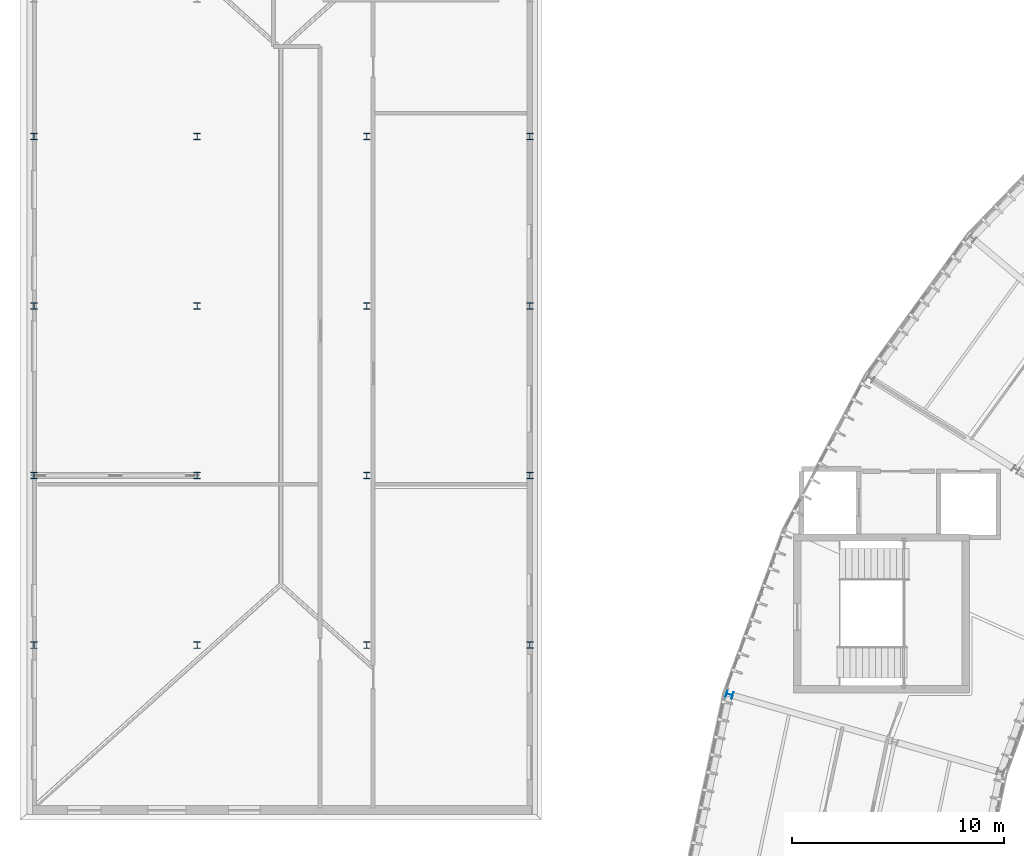
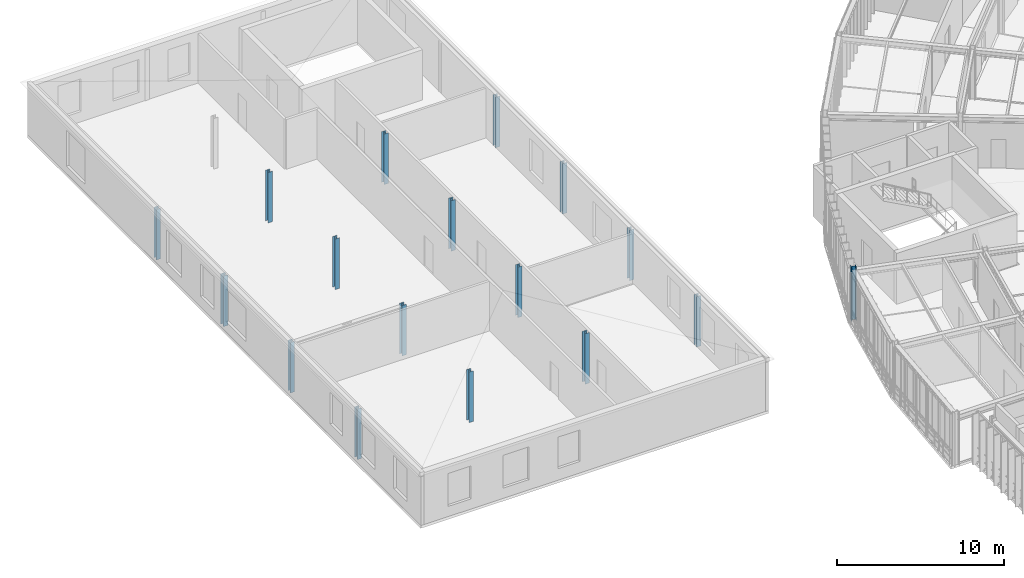
# One storey, part 2 of 42: 17 columns.
"""IFC4 building model written with IfcOpenShell, lengths in metres."""

import ifcopenshell
import ifcopenshell.guid

model = None  # the IFC model being written
_history = None  # IfcOwnerHistory: only IFC2X3 demands one
_inside = {}  # id of a spatial element -> (the spatial element, [elements in it])
_under = {}  # id of a project, library or spatial element -> (it, [spatial elements below it])
_declared = {}  # id of a project -> (the project, [libraries it declares])
_typed = {}  # id of a type object -> (the type object, [elements of that type])
_made_of = {}  # id of a material, layer set ... -> (it, [elements and type objects made of it])


def new_model(schema):
    """Start an empty IFC model of exactly this schema.

    Asked for "IFC4X3", IfcOpenShell would pick the latest addendum, in which some entities
    have other attributes; the version numbers below select the first issue.
    IFC2X3 requires an IfcOwnerHistory on every rooted entity: one is made here for all.
    """
    global model, _history
    if schema == "IFC4X3":
        model = ifcopenshell.file(schema_version=(4, 3, 0, 0))
    else:
        model = ifcopenshell.file(schema=schema)
    _inside.clear()
    _under.clear()
    _declared.clear()
    _typed.clear()
    _made_of.clear()
    _history = None
    if model.schema == "IFC2X3":
        org = make("IfcOrganization", Name="unknown")
        user = make(
            "IfcPersonAndOrganization",
            ThePerson=make("IfcPerson", FamilyName="unknown"),
            TheOrganization=org,
        )
        app = make(
            "IfcApplication",
            ApplicationDeveloper=org,
            Version="unknown",
            ApplicationFullName="unknown",
            ApplicationIdentifier="unknown",
        )
        _history = make(
            "IfcOwnerHistory",
            OwningUser=user,
            OwningApplication=app,
            ChangeAction="ADDED",
            CreationDate=0,
        )
    return model


def make(cls, **values):
    """One entity of the class cls with the attributes given. An attribute that is None is left unset."""
    return model.create_entity(
        cls, **{name: value for name, value in values.items() if value is not None}
    )


def rooted(cls, **values):
    """An entity with a GlobalId (a new one), such as an element, a storey or a relation."""
    return make(cls, GlobalId=ifcopenshell.guid.new(), OwnerHistory=_history, **values)


def si_unit(unit_type, name, prefix=None):
    """IfcSIUnit, for example si_unit("LENGTHUNIT", "METRE", prefix="MILLI")."""
    return make("IfcSIUnit", UnitType=unit_type, Prefix=prefix, Name=name)


def assignment(units):
    """IfcUnitAssignment: the units of a project."""
    return None if units is None else make("IfcUnitAssignment", Units=units)


def point(xyz):
    """IfcCartesianPoint."""
    return None if xyz is None else make("IfcCartesianPoint", Coordinates=xyz)


def direction(xyz):
    """IfcDirection."""
    return None if xyz is None else make("IfcDirection", DirectionRatios=xyz)


def frame(location, z_axis=None, x_axis=None):
    """IfcAxis2Placement3D, a coordinate frame: its origin and axes. An axis left out is left unset."""
    return make(
        "IfcAxis2Placement3D",
        Location=point(location),
        Axis=direction(z_axis),
        RefDirection=direction(x_axis),
    )


def frame_2d(location, x_axis=None):
    """IfcAxis2Placement2D, a coordinate frame in the plane: its origin and x axis."""
    return make(
        "IfcAxis2Placement2D", Location=point(location), RefDirection=direction(x_axis)
    )


def origin():
    """The frame at (0, 0, 0) with its axes left unset."""
    return frame((0.0, 0.0, 0.0))


def origin_2d():
    """The frame at (0, 0) in the plane with its x axis left unset."""
    return frame_2d((0.0, 0.0))


def place(relative_to, where):
    """IfcLocalPlacement: puts the frame where relative to a parent placement (None: the world)."""
    return make(
        "IfcLocalPlacement", PlacementRelTo=relative_to, RelativePlacement=where
    )


def context(
    kind, dimensions, precision=None, world=None, true_north=None, identifier=None
):
    """IfcGeometricRepresentationContext, for example the 3D "Model" context."""
    return make(
        "IfcGeometricRepresentationContext",
        ContextIdentifier=identifier,
        ContextType=kind,
        CoordinateSpaceDimension=dimensions,
        Precision=precision,
        WorldCoordinateSystem=world,
        TrueNorth=true_north,
    )


def subcontext(parent, identifier, kind, view, scale=None):
    """IfcGeometricRepresentationSubContext, for example "Body" below "Model"."""
    return make(
        "IfcGeometricRepresentationSubContext",
        ContextIdentifier=identifier,
        ContextType=kind,
        ParentContext=parent,
        TargetScale=scale,
        TargetView=view,
    )


def project(units=None, contexts=None):
    """IfcProject with its units and contexts."""
    return rooted(
        "IfcProject",
        Name="project",
        RepresentationContexts=contexts,
        UnitsInContext=assignment(units),
    )


def spatial(cls, under=None, at=None, **own):
    """A site, building, storey or space (cls), placed at a placement, below another one or the project."""
    s = rooted(cls, ObjectPlacement=at, **own)
    if under is not None:
        _under.setdefault(under.id(), (under, []))[1].append(s)
    return s


def profile(cls, at=None, kind="AREA", **sizes):
    """A parametric profile (cls). Its sizes go by their IFC names, for example OverallWidth=200.0."""
    return make(cls, ProfileType=kind, Position=at, **sizes)


def i_section(**sizes):
    """IfcIShapeProfileDef."""
    return profile("IfcIShapeProfileDef", **sizes)


def extrude(swept, where, along, depth):
    """IfcExtrudedAreaSolid: the profile swept, set in the frame where, extruded along a direction by depth."""
    return make(
        "IfcExtrudedAreaSolid",
        SweptArea=swept,
        Position=where,
        ExtrudedDirection=direction(along),
        Depth=depth,
    )


def shape(context_of_items, identifier, shape_type, items):
    """IfcShapeRepresentation: the items that make up one representation, for example the "Body"."""
    return make(
        "IfcShapeRepresentation",
        ContextOfItems=context_of_items,
        RepresentationIdentifier=identifier,
        RepresentationType=shape_type,
        Items=items,
    )


def material(Name=None, Category=None):
    """IfcMaterial."""
    return make("IfcMaterial", Name=Name, Category=Category)


def material_profile(
    of_material, cross_section, Name=None, Category=None, Priority=None
):
    """IfcMaterialProfile: a cross section and its material."""
    return make(
        "IfcMaterialProfile",
        Name=Name,
        Material=of_material,
        Profile=cross_section,
        Priority=Priority,
        Category=Category,
    )


def profile_set(profiles, Name=None, composite=None):
    """IfcMaterialProfileSet."""
    return make(
        "IfcMaterialProfileSet",
        Name=Name,
        MaterialProfiles=profiles,
        CompositeProfile=composite,
    )


def made_of(thing, what):
    """Note that an element or type object is made of a material, layer set ...; save() writes the relation."""
    if what is not None:
        _made_of.setdefault(what.id(), (what, []))[1].append(thing)
    return thing


def type_object(cls, material=None, **own):
    """A type object (cls), such as IfcWallType, which elements share."""
    return made_of(rooted(cls, **own), material)


def element(
    cls,
    number,
    at=None,
    inside=None,
    cuts=None,
    type_object=None,
    material=None,
    context=None,
    identifier="Body",
    shape_type=None,
    held_by="IfcProductDefinitionShape",
    body=None,
    shapes=None,
    **own,
):
    """One element of the class cls, such as IfcWall. Its Tag is "e" and its number.

    at: its placement. inside: the storey or other place that contains it. cuts: it is an
    opening in that element (IfcRelVoidsElement). A single representation is given by context,
    identifier, shape_type and body (its items); several are given by shapes. held_by: the class
    of the entity that holds the representations. save() writes the other relations.
    """
    e = rooted(cls, Tag="e%d" % number, ObjectPlacement=at, **own)
    if body is not None:
        shapes = [shape(context, identifier, shape_type, body)]
    if shapes is not None:
        e.Representation = make(held_by, Representations=shapes)
    if inside is not None:
        _inside.setdefault(inside.id(), (inside, []))[1].append(e)
    if cuts is not None:
        rooted(
            "IfcRelVoidsElement", RelatingBuildingElement=cuts, RelatedOpeningElement=e
        )
    if type_object is not None:
        _typed.setdefault(type_object.id(), (type_object, []))[1].append(e)
    return made_of(e, material)


def aggregate(whole, parts):
    """IfcRelAggregates: a whole, such as a stair, and the parts it consists of."""
    return rooted("IfcRelAggregates", RelatingObject=whole, RelatedObjects=parts)


def save(model, path):
    """Write the relations noted so far, then the file.

    IfcRelAggregates (storeys below a building ...), IfcRelContainedInSpatialStructure (elements
    in a storey), IfcRelDefinesByType, IfcRelAssociatesMaterial and IfcRelDeclares: one each for
    every whole, place, type object, material and project.
    """
    for whole, parts in _under.values():
        aggregate(whole, parts)
    for where, things in _inside.values():
        rooted(
            "IfcRelContainedInSpatialStructure",
            RelatedElements=things,
            RelatingStructure=where,
        )
    for kind, things in _typed.values():
        rooted("IfcRelDefinesByType", RelatedObjects=things, RelatingType=kind)
    for what, things in _made_of.values():
        rooted("IfcRelAssociatesMaterial", RelatedObjects=things, RelatingMaterial=what)
    for by, libraries in _declared.values():
        rooted("IfcRelDeclares", RelatingContext=by, RelatedDefinitions=libraries)
    model.write(path)


model = new_model("IFC4")

# Units and contexts
model_context = context("Model", 3, precision=1e-05, world=origin(), true_north=direction((0.0, 1.0)))
body_context = subcontext(model_context, "Body", "Model", "MODEL_VIEW")
ifc_project = project(units=[si_unit("LENGTHUNIT", "METRE"), si_unit("AREAUNIT", "SQUARE_METRE"), si_unit("VOLUMEUNIT", "CUBIC_METRE"), si_unit("PLANEANGLEUNIT", "RADIAN"), si_unit("MASSUNIT", "GRAM", prefix="KILO"), si_unit("THERMODYNAMICTEMPERATUREUNIT", "KELVIN"), si_unit("POWERUNIT", "WATT")], contexts=[model_context])

# Site, building, storey
site_placement = place(None, origin())
site = spatial("IfcSite", under=ifc_project, at=site_placement, CompositionType="ELEMENT")
building_placement = place(site_placement, origin())
building = spatial("IfcBuilding", under=site, at=building_placement, Name="Solvatero Civic Police Headquarters", CompositionType="ELEMENT")
storey_placement = place(building_placement, frame((0.0, 0.0, 21.60009765625)))
storey = spatial("IfcBuildingStorey", under=building, at=storey_placement, Name="L05", CompositionType="ELEMENT", Elevation=21.60009765625)

# Columns
ifc_material = material(Name="Steel S355", Category="steel")
ifc_material_profile_1 = material_profile(ifc_material, i_section(OverallWidth=0.300048828125, OverallDepth=0.300048828125, WebThickness=0.010986328125, FlangeThickness=0.01904296875, FilletRadius=0.027099609375, at=origin_2d()), Name="HEB 300")
ifc_profile_set_1 = profile_set([ifc_material_profile_1], Name="Steel S355")
column_type_1 = type_object("IfcColumnType", Name="COL-ST-HEB300", PredefinedType="COLUMN", material=ifc_profile_set_1)
for number, where, z_axis, x_axis, name in (
    (1, (4.800048828125, 52.5, 0.0), (0.0, 0.0, 1.0), (1.0, 0.0, 0.0), "Column V6-X1Y2 L05"),
    (2, (4.800048828125, 68.5, 0.0), (0.0, 0.0, 1.0), (1.0, 0.0, 0.0), "Column V6-X1Y4 L05"),
    (3, (12.5, 52.5, 0.0), (0.0, 0.0, 1.0), (1.0, 0.0, 0.0), "Column V6-X2Y2 L05"),
    (4, (12.5, 68.5, 0.0), (0.0, 0.0, 1.0), (1.0, 0.0, 0.0), "Column V6-X2Y4 L05"),
    (5, (20.5, 52.5, 0.0), (0.0, 0.0, 1.0), (1.0, 0.0, 0.0), "Column V6-X3Y2 L05"),
    (6, (20.5, 68.5, 0.0), (0.0, 0.0, 1.0), (1.0, 0.0, 0.0), "Column V6-X3Y4 L05"),
    (7, (28.199951171875, 44.5, 0.0), (0.0, 0.0, 1.0), (1.0, 0.0, 0.0), "Column V6-X4Y1 L05"),
    (8, (28.199951171875, 60.5, 0.0), (0.0, 0.0, 1.0), (1.0, 0.0, 0.0), "Column V6-X4Y3 L05"),
):
    element("IfcColumn", number, at=place(storey_placement, frame(where, z_axis=z_axis, x_axis=x_axis)), inside=storey, type_object=column_type_1, Name=name, PredefinedType="COLUMN", context=body_context, shape_type="SweptSolid", body=[
        extrude(i_section(OverallWidth=0.300048828125, OverallDepth=0.300048828125, WebThickness=0.010986328125, FlangeThickness=0.01904296875, FilletRadius=0.027099609375, at=origin_2d()), origin(), (0.0, 0.0, 1.0), 3.679931640625),
    ])
ifc_material_profile_2 = material_profile(ifc_material, i_section(OverallWidth=0.300048828125, OverallDepth=0.320068359375, WebThickness=0.011474609375, FlangeThickness=0.0205078125, FilletRadius=0.027099609375, at=origin_2d()), Name="HEB 320")
ifc_profile_set_2 = profile_set([ifc_material_profile_2], Name="Steel S355")
column_type_2 = type_object("IfcColumnType", Name="COL-ST-HEB320", PredefinedType="COLUMN", material=ifc_profile_set_2)
column_placement = place(storey_placement, frame((37.6220703125, 42.166015625, 0.0), z_axis=(0.0, 0.0, 1.0), x_axis=(0.275637355817, 0.961261695938, 0.0)))
element("IfcColumn", 9, at=column_placement, inside=storey, type_object=column_type_2, Name="Column ARC-S10-OUT L05", PredefinedType="COLUMN", context=body_context, shape_type="SweptSolid", body=[
    extrude(i_section(OverallWidth=0.300048828125, OverallDepth=0.320068359375, WebThickness=0.011474609375, FlangeThickness=0.0205078125, FilletRadius=0.027099609375, at=origin_2d()), origin(), (0.0, 0.0, 1.0), 3.89990234375),
])
for number, where, z_axis, x_axis, name in (
    (10, (4.800048828125, 44.5, 0.0), (0.0, 0.0, 1.0), (1.0, 0.0, 0.0), "Column V6-X1Y1 L05"),
    (11, (4.800048828125, 60.5, 0.0), (0.0, 0.0, 1.0), (1.0, 0.0, 0.0), "Column V6-X1Y3 L05"),
    (12, (12.5, 44.5, 0.0), (0.0, 0.0, 1.0), (1.0, 0.0, 0.0), "Column V6-X2Y1 L05"),
    (13, (12.5, 60.5, 0.0), (0.0, 0.0, 1.0), (1.0, 0.0, 0.0), "Column V6-X2Y3 L05"),
    (14, (20.5, 44.5, 0.0), (0.0, 0.0, 1.0), (1.0, 0.0, 0.0), "Column V6-X3Y1 L05"),
    (15, (20.5, 60.5, 0.0), (0.0, 0.0, 1.0), (1.0, 0.0, 0.0), "Column V6-X3Y3 L05"),
    (16, (28.199951171875, 52.5, 0.0), (0.0, 0.0, 1.0), (1.0, 0.0, 0.0), "Column V6-X4Y2 L05"),
    (17, (28.199951171875, 68.5, 0.0), (0.0, 0.0, 1.0), (1.0, 0.0, 0.0), "Column V6-X4Y4 L05"),
):
    element("IfcColumn", number, at=place(storey_placement, frame(where, z_axis=z_axis, x_axis=x_axis)), inside=storey, type_object=column_type_2, Name=name, PredefinedType="COLUMN", context=body_context, shape_type="SweptSolid", body=[
        extrude(i_section(OverallWidth=0.300048828125, OverallDepth=0.320068359375, WebThickness=0.011474609375, FlangeThickness=0.0205078125, FilletRadius=0.027099609375, at=origin_2d()), origin(), (0.0, 0.0, 1.0), 3.679931640625),
    ])

save(model, "model.ifc")
